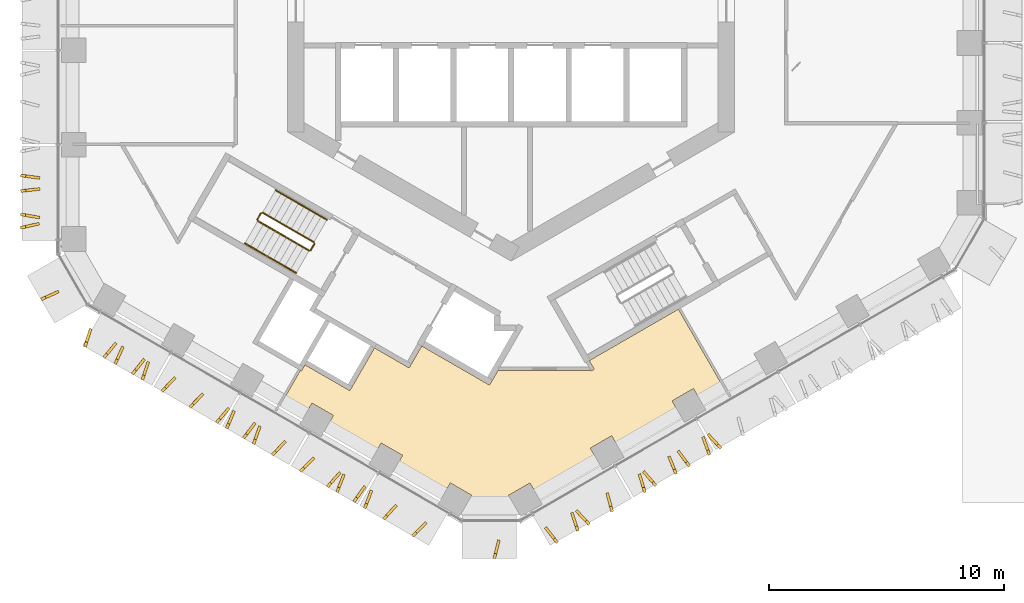
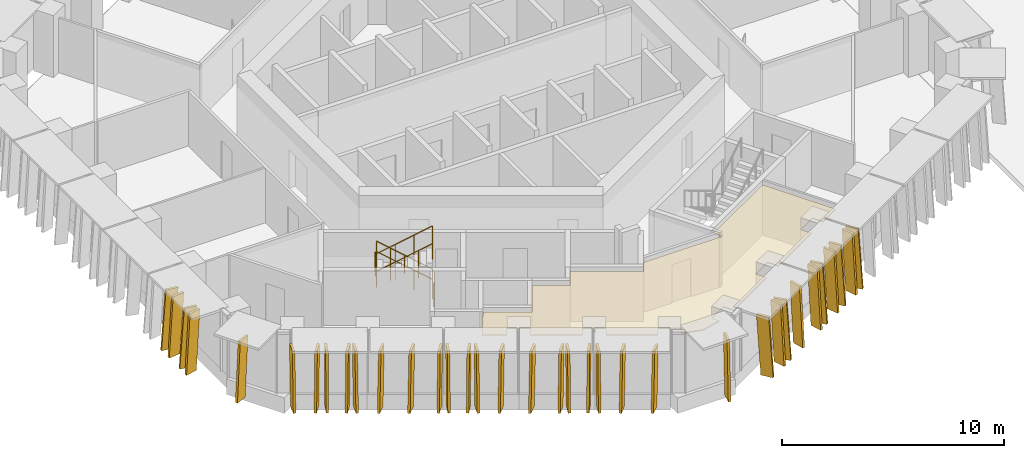
# One storey, part 22 of 25: 35 shading devices, 8 railings, 1 covering.
"""IFC4 building model written with IfcOpenShell, lengths in metres."""

from ifc_helpers import new_model, si_unit, direction, frame, origin, origin_2d, place, context, subcontext, project, spatial, polyline, circle, outline, extrude, material, layer, layer_set, type_object, element, save


model = new_model("IFC4")

# Units and contexts
model_context = context("Model", 3, precision=1e-05, world=origin(), true_north=direction((0.0, 1.0)))
body_context = subcontext(model_context, "Body", "Model", "MODEL_VIEW")
ifc_project = project(units=[si_unit("LENGTHUNIT", "METRE"), si_unit("AREAUNIT", "SQUARE_METRE"), si_unit("VOLUMEUNIT", "CUBIC_METRE"), si_unit("PLANEANGLEUNIT", "RADIAN"), si_unit("MASSUNIT", "GRAM", prefix="KILO")], contexts=[model_context])

# Site, building, storey
site_placement = place(None, origin())
site = spatial("IfcSite", under=ifc_project, at=site_placement, CompositionType="ELEMENT")
building_placement = place(site_placement, origin())
building = spatial("IfcBuilding", under=site, at=building_placement, Name="Ayvan Gate Tower", CompositionType="ELEMENT")
storey_placement = place(building_placement, frame((0.0, 0.0, 132.5)))
storey = spatial("IfcBuildingStorey", under=building, at=storey_placement, Name="L35", CompositionType="ELEMENT", Elevation=132.5)

# Shading devices
ifc_material_1 = material(Name="Bronze anodised aluminium", Category="aluminium")
ifc_layer_1 = layer(ifc_material_1, 0.1201171875)
ifc_layer_set_1 = layer_set([ifc_layer_1], Name="Bronze anodised aluminium")
shading_device_type = type_object("IfcShadingDeviceType", Name="Bronze fin 600 x 120", PredefinedType="USERDEFINED", material=ifc_layer_set_1)
shading_device_1_placement = place(storey_placement, frame((-20.244384765625, -7.34765625, 0.0), z_axis=(0.135494486164, 0.990777999427, 0.000447291668), x_axis=(-0.99077809854, 0.135494499718, 0.0)))
element("IfcShadingDevice", 1, at=shading_device_1_placement, inside=storey, type_object=shading_device_type, Name="Bronze fin FG12.3.48", ObjectType="FIN", PredefinedType="USERDEFINED", context=body_context, shape_type="SweptSolid", body=[
    extrude(outline(polyline([(0.0, 0.0), (0.6000157076051125, 0.0), (0.38371084935709343, 3.280029624992511), (-0.21630485824801896, 3.280029624992511), (0.0, 0.0)])), origin(), (0.0, 0.0, -1.0), 0.1201171875),
])
shading_device_2_placement = place(storey_placement, frame((-20.255615234375, -7.865234375, 0.0), z_axis=(-0.111302456771, 0.993786469596, 0.00046472039), x_axis=(-0.993786576912, -0.111302468746, -9.3975e-08)))
element("IfcShadingDevice", 2, at=shading_device_2_placement, inside=storey, type_object=shading_device_type, Name="Bronze fin FG12.3.49", ObjectType="FIN", PredefinedType="USERDEFINED", context=body_context, shape_type="SweptSolid", body=[
    extrude(outline(polyline([(0.0, 0.0), (0.5999053698211566, -6.776263578034403e-21), (0.38341102155095386, 3.2800296870919383), (-0.21652152172448652, 3.2800295743372154), (0.0, 0.0)])), origin(), (0.0, 0.0, -1.0), 0.1201171875),
])
shading_device_3_placement = place(storey_placement, frame((-20.2490234375, -9.02294921875, 0.0), z_axis=(0.171916390484, 0.985111435177, 0.000463644955), x_axis=(-0.985111541067, 0.17191640892, 9.2928e-08)))
element("IfcShadingDevice", 3, at=shading_device_3_placement, inside=storey, type_object=shading_device_type, Name="Bronze fin FG12.3.50", ObjectType="FIN", PredefinedType="USERDEFINED", context=body_context, shape_type="SweptSolid", body=[
    extrude(outline(polyline([(0.0, 0.0), (0.5999765052461516, -6.776263578034403e-21), (0.38362425721586857, 3.280029613774068), (-0.21639421980980458, 3.280029725287245), (0.0, 0.0)])), origin(), (0.0, 0.0, -1.0), 0.1201171875),
])
shading_device_4_placement = place(storey_placement, frame((-20.284423828125, -9.365234375, 0.0), z_axis=(-0.220741643557, 0.975332202038, 0.000471664387), x_axis=(-0.975332310518, -0.220741668154, 9.3588e-08)))
element("IfcShadingDevice", 4, at=shading_device_4_placement, inside=storey, type_object=shading_device_type, Name="Bronze fin FG12.3.51", ObjectType="FIN", PredefinedType="USERDEFINED", context=body_context, shape_type="SweptSolid", body=[
    extrude(outline(polyline([(0.0, 0.0), (0.6000327817674594, 6.776263578034403e-21), (0.38358321133251466, 3.2800296258258594), (-0.2163956784261182, 3.2800297381327095), (0.0, 0.0)])), origin(), (0.0, 0.0, -1.0), 0.1201171875),
])
shading_device_5_placement = place(storey_placement, frame((-19.4580078125, -12.295654296875, 0.0), z_axis=(-0.413864220178, 0.910338505937, 0.000460286824), x_axis=(-0.910338602371, -0.41386426402, 0.0)))
element("IfcShadingDevice", 5, at=shading_device_5_placement, inside=storey, type_object=shading_device_type, Name="Bronze fin FG12.4.52", ObjectType="FIN", PredefinedType="USERDEFINED", context=body_context, shape_type="SweptSolid", body=[
    extrude(outline(polyline([(0.0, 0.0), (0.5999334497101456, 0.0), (0.38365685580644954, 3.280029644335054), (-0.21627659390369602, 3.280029644335054), (0.0, 0.0)])), origin(), (0.0, 0.0, -1.0), 0.1201171875),
])
shading_device_6_placement = place(storey_placement, frame((-17.99365234375, -14.026611328125, 0.0), z_axis=(-0.952888277356, 0.303321183078, 0.000436775199), x_axis=(-0.303321212046, -0.952888368238, -8.4664e-08)))
element("IfcShadingDevice", 6, at=shading_device_6_placement, inside=storey, type_object=shading_device_type, Name="Bronze fin FG12.5.53", ObjectType="FIN", PredefinedType="USERDEFINED", context=body_context, shape_type="SweptSolid", body=[
    extrude(outline(polyline([(0.0, 0.0), (0.6000835406736558, 0.0), (0.38360420346743057, 3.2800296422223063), (-0.2164052841759406, 3.2800295406177344), (0.0, 0.0)])), origin(), (0.0, 0.0, -1.0), 0.1201171875),
])
shading_device_7_placement = place(storey_placement, frame((-16.9765625, -14.573974609375, 0.0), z_axis=(-0.773794061759, 0.633437094721, 0.000443866048), x_axis=(-0.63343715712, -0.773794137985, 0.0)))
element("IfcShadingDevice", 7, at=shading_device_7_placement, inside=storey, type_object=shading_device_type, Name="Bronze fin FG12.5.54", ObjectType="FIN", PredefinedType="USERDEFINED", context=body_context, shape_type="SweptSolid", body=[
    extrude(outline(polyline([(0.0, 0.0), (0.6001020761921494, 0.0), (0.3837317067986935, 3.2800296199859265), (-0.21637036939345577, 3.2800296199859265), (0.0, 0.0)])), origin(), (0.0, 0.0, -1.0), 0.1201171875),
])
shading_device_8_placement = place(storey_placement, frame((-16.643798828125, -14.772705078125, 0.0), z_axis=(-0.911158732279, 0.412055265982, 0.000471559402), x_axis=(-0.412055311796, -0.911158833586, 0.0)))
element("IfcShadingDevice", 8, at=shading_device_8_placement, inside=storey, type_object=shading_device_type, Name="Bronze fin FG12.5.55", ObjectType="FIN", PredefinedType="USERDEFINED", context=body_context, shape_type="SweptSolid", body=[
    extrude(outline(polyline([(0.0, 0.0), (0.6001972212110931, 0.0), (0.38380186434767566, 3.2800296615622804), (-0.21639535686341746, 3.2800296615622804), (0.0, 0.0)])), origin(), (0.0, 0.0, -1.0), 0.1201171875),
])
shading_device_9_placement = place(storey_placement, frame((-15.7734375, -15.2666015625, 0.0), z_axis=(-0.782434246738, 0.62273302893, 0.000473509593), x_axis=(-0.622733098714, -0.782434334475, 7.5382e-08)))
element("IfcShadingDevice", 9, at=shading_device_9_placement, inside=storey, type_object=shading_device_type, Name="Bronze fin FG12.5.56", ObjectType="FIN", PredefinedType="USERDEFINED", context=body_context, shape_type="SweptSolid", body=[
    extrude(outline(polyline([(0.0, 0.0), (0.5999518716378728, -2.710505431213761e-20), (0.38380542472007656, 3.2800296356527454), (-0.21629848136572447, 3.280029726115906), (0.0, 0.0)])), origin(), (0.0, 0.0, -1.0), 0.1201171875),
])
shading_device_10_placement = place(storey_placement, frame((-15.548095703125, -15.434814453125, 0.0), z_axis=(-0.949534071734, 0.313663568683, 0.000460757624), x_axis=(-0.313663601978, -0.949534172526, 0.0)))
element("IfcShadingDevice", 10, at=shading_device_10_placement, inside=storey, type_object=shading_device_type, Name="Bronze fin FG12.5.57", ObjectType="FIN", PredefinedType="USERDEFINED", context=body_context, shape_type="SweptSolid", body=[
    extrude(outline(polyline([(0.0, 0.0), (0.6001092274902761, 0.0), (0.383632379862494, 3.2800296450462096), (-0.21647684762778208, 3.2800296450462096), (0.0, 0.0)])), origin(), (0.0, 0.0, -1.0), 0.1201171875),
])
shading_device_11_placement = place(storey_placement, frame((-14.47705078125, -16.034423828125, 0.0), z_axis=(-0.719905916367, 0.694071485347, 0.000494780959), x_axis=(-0.694071570279, -0.71990600451, 6.9847e-08)))
element("IfcShadingDevice", 11, at=shading_device_11_placement, inside=storey, type_object=shading_device_type, Name="Bronze fin FG12.5.58", ObjectType="FIN", PredefinedType="USERDEFINED", context=body_context, shape_type="SweptSolid", body=[
    extrude(outline(polyline([(0.0, 0.0), (0.6001757145702546, 0.0), (0.3836855187606901, 3.280029671564759), (-0.21631443750768214, 3.2800297553936444), (0.0, 0.0)])), origin(), (0.0, 0.0, -1.0), 0.1201171875),
])
shading_device_12_placement = place(storey_placement, frame((-13.290283203125, -16.722900390625, 0.0), z_axis=(-0.711567810227, 0.702617271733, 0.00047001153), x_axis=(-0.702617349341, -0.711567888823, 0.0)))
element("IfcShadingDevice", 12, at=shading_device_12_placement, inside=storey, type_object=shading_device_type, Name="Bronze fin FG12.5.60", ObjectType="FIN", PredefinedType="USERDEFINED", context=body_context, shape_type="SweptSolid", body=[
    extrude(outline(polyline([(0.0, 0.0), (0.6000860351231861, 0.0), (0.3837816951719043, 3.280029659172071), (-0.21630433995128184, 3.280029659172071), (0.0, 0.0)])), origin(), (0.0, 0.0, -1.0), 0.1201171875),
])
shading_device_13_placement = place(storey_placement, frame((-12.183837890625, -17.34423828125, 0.0), z_axis=(-0.762150016854, 0.647400254573, 0.000512042348), x_axis=(-0.647400339443, -0.762150116768, 0.0)))
element("IfcShadingDevice", 13, at=shading_device_13_placement, inside=storey, type_object=shading_device_type, Name="Bronze fin FG12.5.62", ObjectType="FIN", PredefinedType="USERDEFINED", context=body_context, shape_type="SweptSolid", body=[
    extrude(outline(polyline([(0.0, 0.0), (0.5999807394433108, 0.0), (0.3836117148122911, 3.2800297268662053), (-0.21636902463101965, 3.2800297268662053), (0.0, 0.0)])), origin(), (0.0, 0.0, -1.0), 0.1201171875),
])
shading_device_14_placement = place(storey_placement, frame((-11.91455078125, -17.50830078125, 0.0), z_axis=(-0.920382093134, 0.391019978559, 0.000423091495), x_axis=(-0.391020013557, -0.920382175511, 0.0)))
element("IfcShadingDevice", 14, at=shading_device_14_placement, inside=storey, type_object=shading_device_type, Name="Bronze fin FG12.5.63", ObjectType="FIN", PredefinedType="USERDEFINED", context=body_context, shape_type="SweptSolid", body=[
    extrude(outline(polyline([(0.0, 0.0), (0.6000182407308525, 0.0), (0.3835069771474037, 3.280029590448179), (-0.21651126358344885, 3.280029590448179), (0.0, 0.0)])), origin(), (0.0, 0.0, -1.0), 0.1201171875),
])
shading_device_15_placement = place(storey_placement, frame((-11.062744140625, -17.9833984375, 0.0), z_axis=(-0.797453913071, 0.603379669941, 0.000480030152), x_axis=(-0.603379739459, -0.79745400495, 0.0)))
element("IfcShadingDevice", 15, at=shading_device_15_placement, inside=storey, type_object=shading_device_type, Name="Bronze fin FG12.5.64", ObjectType="FIN", PredefinedType="USERDEFINED", context=body_context, shape_type="SweptSolid", body=[
    extrude(outline(polyline([(0.0, 0.0), (0.6000542000291014, 2.710505431213761e-20), (0.3836393502274574, 3.2800296747819133), (-0.21641484980164394, 3.2800296747819133), (0.0, 0.0)])), origin(), (0.0, 0.0, -1.0), 0.1201171875),
])
shading_device_16_placement = place(storey_placement, frame((-10.80859375, -18.1640625, 0.0), z_axis=(-0.942531040555, 0.334118300646, 0.000445828918), x_axis=(-0.334118333851, -0.942531134226, 0.0)))
element("IfcShadingDevice", 16, at=shading_device_16_placement, inside=storey, type_object=shading_device_type, Name="Bronze fin FG12.5.65", ObjectType="FIN", PredefinedType="USERDEFINED", context=body_context, shape_type="SweptSolid", body=[
    extrude(outline(polyline([(0.0, 0.0), (0.599905580800343, -1.3552527156068805e-20), (0.38335902250757703, 3.2800296228499755), (-0.2165465582927659, 3.2800296228499755), (0.0, 0.0)])), origin(), (0.0, 0.0, -1.0), 0.1201171875),
])
shading_device_17_placement = place(storey_placement, frame((-9.786376953125, -18.73876953125, 0.0), z_axis=(-0.730215663135, 0.683216549682, 0.000481199951), x_axis=(-0.683216628759, -0.730215747699, 6.688e-08)))
element("IfcShadingDevice", 17, at=shading_device_17_placement, inside=storey, type_object=shading_device_type, Name="Bronze fin FG12.5.66", ObjectType="FIN", PredefinedType="USERDEFINED", context=body_context, shape_type="SweptSolid", body=[
    extrude(outline(polyline([(0.0, 0.0), (0.6000629850599466, 0.0), (0.38368359766283183, 3.2800296509652145), (-0.21620111206808662, 3.280029731217893), (0.0, 0.0)])), origin(), (0.0, 0.0, -1.0), 0.1201171875),
])
shading_device_18_placement = place(storey_placement, frame((-8.581298828125, -19.443359375, 0.0), z_axis=(-0.70771688849, 0.70649598529, 0.000478031842), x_axis=(-0.706496066012, -0.707716969352, 0.0)))
element("IfcShadingDevice", 18, at=shading_device_18_placement, inside=storey, type_object=shading_device_type, Name="Bronze fin FG12.5.68", ObjectType="FIN", PredefinedType="USERDEFINED", context=body_context, shape_type="SweptSolid", body=[
    extrude(outline(polyline([(0.0, 0.0), (0.5999016065187814, -2.710505431213761e-20), (0.38342048113786875, 3.280029671642097), (-0.21648112538091258, 3.280029671642097), (0.0, 0.0)])), origin(), (0.0, 0.0, -1.0), 0.1201171875),
])
shading_device_19_placement = place(storey_placement, frame((-7.457763671875, -20.077392578125, 0.0), z_axis=(-0.747106079951, 0.664704674074, 0.000448960395), x_axis=(-0.664704741087, -0.747106155226, -6.8236e-08)))
element("IfcShadingDevice", 19, at=shading_device_19_placement, inside=storey, type_object=shading_device_type, Name="Bronze fin FG12.5.70", ObjectType="FIN", PredefinedType="USERDEFINED", context=body_context, shape_type="SweptSolid", body=[
    extrude(outline(polyline([(0.0, 0.0), (0.6000523554518924, 2.710505431213761e-20), (0.3836384435646746, 3.2800296536231404), (-0.21625163045628826, 3.280029571744303), (0.0, 0.0)])), origin(), (0.0, 0.0, -1.0), 0.1201171875),
])
shading_device_20_placement = place(storey_placement, frame((-7.24169921875, -20.21337890625, 0.0), z_axis=(-0.930815685318, 0.365488625018, 0.000474286399), x_axis=(-0.365488666126, -0.930815790011, 0.0)))
element("IfcShadingDevice", 20, at=shading_device_20_placement, inside=storey, type_object=shading_device_type, Name="Bronze fin FG12.5.71", ObjectType="FIN", PredefinedType="USERDEFINED", context=body_context, shape_type="SweptSolid", body=[
    extrude(outline(polyline([(0.0, 0.0), (0.5998497397304339, 1.3552527156068805e-20), (0.38337692356820957, 3.2800296657924015), (-0.21647281616222427, 3.2800296657924015), (0.0, 0.0)])), origin(), (0.0, 0.0, -1.0), 0.1201171875),
])
shading_device_21_placement = place(storey_placement, frame((-6.386962890625, -20.6806640625, 0.0), z_axis=(-0.814173017022, 0.580622136577, 0.000482566043), x_axis=(-0.580622204182, -0.81417311182, 0.0)))
element("IfcShadingDevice", 21, at=shading_device_21_placement, inside=storey, type_object=shading_device_type, Name="Bronze fin FG12.5.72", ObjectType="FIN", PredefinedType="USERDEFINED", context=body_context, shape_type="SweptSolid", body=[
    extrude(outline(polyline([(0.0, 0.0), (0.6000264360643915, 2.710505431213761e-20), (0.3835958109517269, 3.280029678785255), (-0.21643062511266464, 3.280029678785255), (0.0, 0.0)])), origin(), (0.0, 0.0, -1.0), 0.1201171875),
])
shading_device_22_placement = place(storey_placement, frame((-6.06640625, -20.89453125, 0.0), z_axis=(-0.934171444813, 0.356824197343, 0.000451538387), x_axis=(-0.356824233719, -0.934171540045, 0.0)))
element("IfcShadingDevice", 22, at=shading_device_22_placement, inside=storey, type_object=shading_device_type, Name="Bronze fin FG12.5.73", ObjectType="FIN", PredefinedType="USERDEFINED", context=body_context, shape_type="SweptSolid", body=[
    extrude(outline(polyline([(0.0, 0.0), (0.6000470480751631, 0.0), (0.3836107455031306, 3.2800296312525776), (-0.21643630257203242, 3.2800296312525776), (0.0, 0.0)])), origin(), (0.0, 0.0, -1.0), 0.1201171875),
])
shading_device_23_placement = place(storey_placement, frame((-5.06689453125, -21.4599609375, 0.0), z_axis=(-0.741043821, 0.671456509967, 0.000458890331), x_axis=(-0.671456580665, -0.741043899025, 0.0)))
element("IfcShadingDevice", 23, at=shading_device_23_placement, inside=storey, type_object=shading_device_type, Name="Bronze fin FG12.5.74", ObjectType="FIN", PredefinedType="USERDEFINED", context=body_context, shape_type="SweptSolid", body=[
    extrude(outline(polyline([(0.0, 0.0), (0.5999375728078982, -2.710505431213761e-20), (0.38343962005836185, 3.280029642229889), (-0.21649795274953626, 3.280029642229889), (0.0, 0.0)])), origin(), (0.0, 0.0, -1.0), 0.1201171875),
])
shading_device_24_placement = place(storey_placement, frame((-3.804931640625, -22.201171875, 0.0), z_axis=(-0.707106718506, 0.707106718506, 0.000421053498), x_axis=(-0.707106781187, -0.707106781187, 0.0)))
element("IfcShadingDevice", 24, at=shading_device_24_placement, inside=storey, type_object=shading_device_type, Name="Bronze fin FG12.5.76", ObjectType="FIN", PredefinedType="USERDEFINED", context=body_context, shape_type="SweptSolid", body=[
    extrude(outline(polyline([(0.0, 0.0), (0.600074016456162, 0.0), (0.383591618114382, 3.280029587626755), (-0.21648239834177996, 3.280029587626755), (0.0, 0.0)])), origin(), (0.0, 0.0, -1.0), 0.1201171875),
])
shading_device_25_placement = place(storey_placement, frame((-0.6298828125, -23.020263671875, 0.0), z_axis=(-0.970547956538, 0.240907501162, 0.000489840487), x_axis=(-0.240907530064, -0.970548072977, 0.0)))
element("IfcShadingDevice", 25, at=shading_device_25_placement, inside=storey, type_object=shading_device_type, Name="Bronze fin FG12.6.78", ObjectType="FIN", PredefinedType="USERDEFINED", context=body_context, shape_type="SweptSolid", body=[
    extrude(outline(polyline([(0.0, 0.0), (0.5999449247673146, 0.0), (0.3834653223989258, 3.280029690386258), (-0.21647960236838892, 3.280029690386258), (0.0, 0.0)])), origin(), (0.0, 0.0, -1.0), 0.1201171875),
])
shading_device_26_placement = place(storey_placement, frame((1.546630859375, -22.50146484375, 0.0), z_axis=(-0.791275971034, -0.611459015148, 0.000458757665), x_axis=(0.611459079492, -0.791276054299, 0.0)))
element("IfcShadingDevice", 26, at=shading_device_26_placement, inside=storey, type_object=shading_device_type, Name="Bronze fin FG12.7.79", ObjectType="FIN", PredefinedType="USERDEFINED", context=body_context, shape_type="SweptSolid", body=[
    extrude(outline(polyline([(0.0, 0.0), (0.6001110649628388, 0.0), (0.38375287551754766, 3.2800296420302337), (-0.21635818944529117, 3.2800296420302337), (0.0, 0.0)])), origin(), (0.0, 0.0, -1.0), 0.1201171875),
])
shading_device_27_placement = place(storey_placement, frame((2.58935546875, -21.890380859375, 0.0), z_axis=(-0.945670873005, -0.325125226993, 0.00043211454), x_axis=(0.325125257347, -0.945670961294, 0.0)))
element("IfcShadingDevice", 27, at=shading_device_27_placement, inside=storey, type_object=shading_device_type, Name="Bronze fin FG12.7.80", ObjectType="FIN", PredefinedType="USERDEFINED", context=body_context, shape_type="SweptSolid", body=[
    extrude(outline(polyline([(0.0, 0.0), (0.599979100260721, 1.3552527156068805e-20), (0.3833483077124783, 3.280029603103458), (-0.21663079254824272, 3.280029603103458), (0.0, 0.0)])), origin(), (0.0, 0.0, -1.0), 0.1201171875),
])
shading_device_28_placement = place(storey_placement, frame((2.8701171875, -21.7705078125, 0.0), z_axis=(-0.725182221053, -0.688556856353, 0.000449263871), x_axis=(0.688556925842, -0.725182294237, 0.0)))
element("IfcShadingDevice", 28, at=shading_device_28_placement, inside=storey, type_object=shading_device_type, Name="Bronze fin FG12.7.81", ObjectType="FIN", PredefinedType="USERDEFINED", context=body_context, shape_type="SweptSolid", body=[
    extrude(outline(polyline([(0.0, 0.0), (0.5999299723767613, 0.0), (0.3835094544491068, 3.2800296278923686), (-0.2164205179276544, 3.2800296278923686), (0.0, 0.0)])), origin(), (0.0, 0.0, -1.0), 0.1201171875),
])
shading_device_29_placement = place(storey_placement, frame((4.077880859375, -21.047119140625, 0.0), z_axis=(-0.965282936214, -0.261206172834, 0.000433967222), x_axis=(0.261206197421, -0.965283027111, -2.3055e-08)))
element("IfcShadingDevice", 29, at=shading_device_29_placement, inside=storey, type_object=shading_device_type, Name="Bronze fin FG12.7.82", ObjectType="FIN", PredefinedType="USERDEFINED", context=body_context, shape_type="SweptSolid", body=[
    extrude(outline(polyline([(0.0, 0.0), (0.6001735844919521, 0.0), (0.3835608531373525, 3.280029614578152), (-0.2163770665530588, 3.2800295869090426), (0.0, 0.0)])), origin(), (0.0, 0.0, -1.0), 0.1201171875),
])
shading_device_30_placement = place(storey_placement, frame((5.455810546875, -20.24462890625, 0.0), z_axis=(-0.958289614153, -0.285798537016, 0.000460050225), x_axis=(0.285798567209, -0.958289715577, -1.16407e-07)))
element("IfcShadingDevice", 30, at=shading_device_30_placement, inside=storey, type_object=shading_device_type, Name="Bronze fin FG12.7.84", ObjectType="FIN", PredefinedType="USERDEFINED", context=body_context, shape_type="SweptSolid", body=[
    extrude(outline(polyline([(0.0, 0.0), (0.600185831074437, 1.3552527156068805e-20), (0.38361926669299495, 3.2800296886341007), (-0.21640238197217251, 3.280029548921012), (0.0, 0.0)])), origin(), (0.0, 0.0, -1.0), 0.1201171875),
])
shading_device_31_placement = place(storey_placement, frame((5.71826171875, -20.109375, 0.0), z_axis=(-0.756232498, -0.654302855412, 0.000427045562), x_axis=(0.654302915056, -0.756232566972, -5.6839e-08)))
element("IfcShadingDevice", 31, at=shading_device_31_placement, inside=storey, type_object=shading_device_type, Name="Bronze fin FG12.7.85", ObjectType="FIN", PredefinedType="USERDEFINED", context=body_context, shape_type="SweptSolid", body=[
    extrude(outline(polyline([(0.0, 0.0), (0.6000867747585912, 2.710505431213761e-20), (0.38345195410064076, 3.2800296177562522), (-0.21645019356640446, 3.2800295495496674), (0.0, 0.0)])), origin(), (0.0, 0.0, -1.0), 0.1201171875),
])
shading_device_32_placement = place(storey_placement, frame((6.732177734375, -19.489013671875, 0.0), z_axis=(-0.924294110976, -0.381680773099, 0.000428791674), x_axis=(0.381680808201, -0.924294195942, 3.3304e-08)))
element("IfcShadingDevice", 32, at=shading_device_32_placement, inside=storey, type_object=shading_device_type, Name="Bronze fin FG12.7.86", ObjectType="FIN", PredefinedType="USERDEFINED", context=body_context, shape_type="SweptSolid", body=[
    extrude(outline(polyline([(0.0, 0.0), (0.5998751750672717, 0.0), (0.3835800587195576, 3.280029585637175), (-0.21652077411039508, 3.280029625601124), (0.0, 0.0)])), origin(), (0.0, 0.0, -1.0), 0.1201171875),
])
shading_device_33_placement = place(storey_placement, frame((7.17626953125, -19.24658203125, 0.0), z_axis=(-0.803138772245, -0.595791822937, 0.000465014621), x_axis=(0.595791887333, -0.803138859095, -5.6366e-08)))
element("IfcShadingDevice", 33, at=shading_device_33_placement, inside=storey, type_object=shading_device_type, Name="Bronze fin FG12.7.87", ObjectType="FIN", PredefinedType="USERDEFINED", context=body_context, shape_type="SweptSolid", body=[
    extrude(outline(polyline([(0.0, 0.0), (0.6000086501242059, 0.0), (0.3835420150025901, 3.2800296731280856), (-0.21627055629859454, 3.280029605499504), (0.0, 0.0)])), origin(), (0.0, 0.0, -1.0), 0.1201171875),
])
shading_device_34_placement = place(storey_placement, frame((8.16943359375, -18.665283203125, 0.0), z_axis=(-0.939769550818, -0.341808366611, 0.000481528374), x_axis=(0.341808406223, -0.939769659776, -3.3481e-08)))
element("IfcShadingDevice", 34, at=shading_device_34_placement, inside=storey, type_object=shading_device_type, Name="Bronze fin FG12.7.88", ObjectType="FIN", PredefinedType="USERDEFINED", context=body_context, shape_type="SweptSolid", body=[
    extrude(outline(polyline([(0.0, 0.0), (0.6000944763939514, 1.3552527156068805e-20), (0.38350146320191886, 3.280029689984481), (-0.21636357723993893, 3.2800296498089483), (0.0, 0.0)])), origin(), (0.0, 0.0, -1.0), 0.1201171875),
])
shading_device_35_placement = place(storey_placement, frame((8.4697265625, -18.53271484375, 0.0), z_axis=(-0.733843233961, -0.679318702023, 0.000457220557), x_axis=(0.679318773027, -0.733843310668, -5.073e-09)))
element("IfcShadingDevice", 35, at=shading_device_35_placement, inside=storey, type_object=shading_device_type, Name="Bronze fin FG12.7.89", ObjectType="FIN", PredefinedType="USERDEFINED", context=body_context, shape_type="SweptSolid", body=[
    extrude(outline(polyline([(0.0, 0.0), (0.599829717118554, 2.710505431213761e-20), (0.38364639171923, 3.2800296416675563), (-0.21652833567366386, 3.280029635579444), (0.0, 0.0)])), origin(), (0.0, 0.0, -1.0), 0.1201171875),
])

# Covering
ifc_material_2 = material(Name="Plasterboard suspended ceiling")
ifc_layer_2 = layer(ifc_material_2, 0.050048828125)
ifc_layer_set_2 = layer_set([ifc_layer_2], Name="Plasterboard suspended ceiling")
covering_type = type_object("IfcCoveringType", Name="CT-SUSP-50", PredefinedType="CEILING", material=ifc_layer_set_2)
covering_placement = place(storey_placement, frame((0.0, 0.0, 2.699951171875)))
element("IfcCovering", 36, at=covering_placement, inside=storey, type_object=covering_type, Name="Ceiling Social Lounge L35", PredefinedType="CEILING", context=body_context, shape_type="SweptSolid", body=[
    extrude(outline(polyline([(-8.763427734375, -15.378662109375), (-6.858154296875, -16.478515625), (-6.76806640625, -16.32275390625), (-5.80810546875, -14.659912109375), (-4.3359375, -15.510009765625), (-4.245849609375, -15.35400390625), (-4.235595703125, -15.33642578125), (-3.798583984375, -14.5791015625), (-3.775390625, -14.59228515625), (-0.9189453125, -16.24169921875), (-0.803955078125, -16.042236328125), (-0.555908203125, -15.613037109375), (3.353271484375, -15.613037109375), (3.353271484375, -15.55810546875), (3.40087890625, -15.640380859375), (3.53076171875, -15.5654296875), (3.320556640625, -15.201416015625), (3.346435546875, -15.186279296875), (7.109375, -13.013916015625), (9.008544921875, -16.30322265625), (8.028564453125, -16.868896484375), (7.751220703125, -16.388671875), (6.841796875, -16.913818359375), (7.119140625, -17.39404296875), (5.15478515625, -18.5283203125), (4.552978515625, -18.87548828125), (4.275634765625, -18.395263671875), (3.366455078125, -18.92041015625), (3.643798828125, -19.400634765625), (1.077392578125, -20.882080078125), (0.80029296875, -20.40185546875), (-0.109130859375, -20.9267578125), (0.095703125, -21.281494140625), (-0.8623046875, -21.5380859375), (-1.87158203125, -21.267578125), (-1.6748046875, -20.9267578125), (-2.583984375, -20.40185546875), (-2.8466796875, -20.8564453125), (-3.50732421875, -20.47509765625), (-4.877685546875, -19.683837890625), (-4.614990234375, -19.229248046875), (-5.5244140625, -18.7041015625), (-5.786865234375, -19.158935546875), (-7.818115234375, -17.986328125), (-7.555419921875, -17.531494140625), (-8.46484375, -17.006591796875), (-8.727294921875, -17.461181640625), (-9.699462890625, -16.89990234375), (-8.956787109375, -15.613525390625), (-8.913330078125, -15.638427734375), (-8.8134765625, -15.46533203125), (-8.763427734375, -15.378662109375)])), origin(), (0.0, 0.0, 1.0), 0.050048828125),
])

# Railings
ifc_material_3 = material(Name="Stainless steel balustrade", Category="steel")
railing_type_1 = type_object("IfcRailingType", Name="RL-GUARD-1100", PredefinedType="GUARDRAIL", material=ifc_material_3)
railing_1_placement = place(storey_placement, frame((-8.381103515625, -10.16650390625, 0.169921875)))
element("IfcRailing", 37, at=railing_1_placement, inside=storey, type_object=railing_type_1, Name="L35 STS2 stair guard 1", PredefinedType="GUARDRAIL", context=body_context, shape_type="SweptSolid", body=[
    extrude(circle(Radius=0.02392578125, at=origin_2d()), frame((0.0, 0.0, 1.076171875), z_axis=(-0.740261155115, 0.427395438142, 0.518986090067), x_axis=(-0.500004791531, -0.866022637375, 0.0)), (0.0, 0.0, 1.0), 2.947998046875),
    extrude(circle(Radius=0.02099609375, at=origin_2d()), origin(), (0.0, 0.0, 1.0), 1.052001953125),
    extrude(circle(Radius=0.02099609375, at=origin_2d()), frame((-0.7275390625, 0.419921875, 0.510009765625)), (0.0, 0.0, 1.0), 1.052001953125),
    extrude(circle(Radius=0.02099609375, at=origin_2d()), frame((-1.454833984375, 0.840087890625, 1.02001953125)), (0.0, 0.0, 1.0), 1.052001953125),
    extrude(circle(Radius=0.02099609375, at=origin_2d()), frame((-2.182373046875, 1.260009765625, 1.530029296875)), (0.0, 0.0, 1.0), 1.052001953125),
])
railing_2_placement = place(storey_placement, frame((-10.6318359375, -8.9248046875, 1.699951171875)))
element("IfcRailing", 38, at=railing_2_placement, inside=storey, type_object=railing_type_1, Name="L35 STS2 stair guard 2", PredefinedType="GUARDRAIL", context=body_context, shape_type="SweptSolid", body=[
    extrude(circle(Radius=0.02392578125, at=origin_2d()), frame((0.0, 0.0, 1.076171875), z_axis=(-0.499949632511, -0.866054481515, 0.0), x_axis=(0.866054481515, -0.499949632511, 0.0)), (0.0, 0.0, 1.0), 0.31005859375),
    extrude(circle(Radius=0.02099609375, at=origin_2d()), origin(), (0.0, 0.0, 1.0), 1.052001953125),
    extrude(circle(Radius=0.02099609375, at=origin_2d()), frame((-0.155029296875, -0.2685546875, 0.0)), (0.0, 0.0, 1.0), 1.052001953125),
])
railing_3_placement = place(storey_placement, frame((-10.7685546875, -9.261474609375, 1.8701171875)))
element("IfcRailing", 39, at=railing_3_placement, inside=storey, type_object=railing_type_1, Name="L35 STS2 stair guard 3", PredefinedType="GUARDRAIL", context=body_context, shape_type="SweptSolid", body=[
    extrude(circle(Radius=0.02392578125, at=origin_2d()), frame((0.0, 0.0, 1.076171875), z_axis=(0.740292969978, -0.427413806696, 0.51892557891), x_axis=(0.500004791531, 0.866022637375, 0.0)), (0.0, 0.0, 1.0), 2.947998046875),
    extrude(circle(Radius=0.02099609375, at=origin_2d()), origin(), (0.0, 0.0, 1.0), 1.052001953125),
    extrude(circle(Radius=0.02099609375, at=origin_2d()), frame((0.7275390625, -0.419921875, 0.510009765625)), (0.0, 0.0, 1.0), 1.052001953125),
    extrude(circle(Radius=0.02099609375, at=origin_2d()), frame((1.454833984375, -0.840087890625, 1.019775390625)), (0.0, 0.0, 1.0), 1.052001953125),
    extrude(circle(Radius=0.02099609375, at=origin_2d()), frame((2.182373046875, -1.260009765625, 1.52978515625)), (0.0, 0.0, 1.0), 1.052001953125),
])
railing_4_placement = place(storey_placement, frame((-8.36279296875, -10.23486328125, 0.0)))
element("IfcRailing", 40, at=railing_4_placement, inside=storey, type_object=railing_type_1, Name="L35 STS2 stair guard 4", PredefinedType="GUARDRAIL", context=body_context, shape_type="SweptSolid", body=[
    extrude(circle(Radius=0.02392578125, at=origin_2d()), frame((0.0, 0.0, 1.076171875), z_axis=(-0.500290723946, -0.86585748916, 0.0), x_axis=(0.86585748916, -0.500290723946, 0.0)), (0.0, 0.0, 1.0), 0.309814453125),
    extrude(circle(Radius=0.02099609375, at=origin_2d()), origin(), (0.0, 0.0, 1.0), 1.052001953125),
    extrude(circle(Radius=0.02099609375, at=origin_2d()), frame((-0.155029296875, -0.268310546875, 0.0)), (0.0, 0.0, 1.0), 1.052001953125),
])
railing_type_2 = type_object("IfcRailingType", Name="RL-HANDRAIL-900", PredefinedType="HANDRAIL", material=ifc_material_3)
railing_5_placement = place(storey_placement, frame((-7.8310546875, -9.2138671875, 0.169921875)))
element("IfcRailing", 41, at=railing_5_placement, inside=storey, type_object=railing_type_2, Name="L35 STS2 stair handrail 1", PredefinedType="HANDRAIL", context=body_context, shape_type="SweptSolid", body=[
    extrude(circle(Radius=0.02392578125, at=origin_2d()), frame((0.0, 0.0, 0.8759765625), z_axis=(-0.740292964666, 0.42728318766, 0.519033143459), x_axis=(-0.499890179513, -0.866088799389, 0.0)), (0.0, 0.0, 1.0), 1.47412109375),
    extrude(circle(Radius=0.02099609375, at=origin_2d()), origin(), (0.0, 0.0, 1.0), 0.851806640625),
    extrude(circle(Radius=0.02099609375, at=origin_2d()), frame((-0.545654296875, 0.31494140625, 0.382568359375)), (0.0, 0.0, 1.0), 0.851806640625),
    extrude(circle(Radius=0.02099609375, at=origin_2d()), frame((-1.09130859375, 0.6298828125, 0.76513671875)), (0.0, 0.0, 1.0), 0.851806640625),
])
railing_6_placement = place(storey_placement, frame((-8.92236328125, -8.583984375, 0.93505859375)))
element("IfcRailing", 42, at=railing_6_placement, inside=storey, type_object=railing_type_2, Name="L35 STS2 stair handrail 2", PredefinedType="HANDRAIL", context=body_context, shape_type="SweptSolid", body=[
    extrude(circle(Radius=0.02392578125, at=origin_2d()), frame((0.0, 0.0, 0.8759765625), z_axis=(-0.740229329464, 0.427507697325, 0.518939021976), x_axis=(-0.50011940292, -0.865956455501, 0.0)), (0.0, 0.0, 1.0), 1.473876953125),
    extrude(circle(Radius=0.02099609375, at=origin_2d()), origin(), (0.0, 0.0, 1.0), 0.851806640625),
    extrude(circle(Radius=0.02099609375, at=origin_2d()), frame((-0.54541015625, 0.31494140625, 0.38232421875)), (0.0, 0.0, 1.0), 0.851806640625),
    extrude(circle(Radius=0.02099609375, at=origin_2d()), frame((-1.091064453125, 0.630126953125, 0.764892578125)), (0.0, 0.0, 1.0), 0.851806640625),
])
railing_7_placement = place(storey_placement, frame((-11.318603515625, -10.214111328125, 1.8701171875)))
element("IfcRailing", 43, at=railing_7_placement, inside=storey, type_object=railing_type_2, Name="L35 STS2 stair handrail 3", PredefinedType="HANDRAIL", context=body_context, shape_type="SweptSolid", body=[
    extrude(circle(Radius=0.02392578125, at=origin_2d()), frame((0.0, 0.0, 0.8759765625), z_axis=(0.740304193401, -0.427455284825, 0.518875399983), x_axis=(0.500035496587, 0.86600490885, 0.0)), (0.0, 0.0, 1.0), 1.47412109375),
    extrude(circle(Radius=0.02099609375, at=origin_2d()), origin(), (0.0, 0.0, 1.0), 0.851806640625),
    extrude(circle(Radius=0.02099609375, at=origin_2d()), frame((0.545654296875, -0.31494140625, 0.38232421875)), (0.0, 0.0, 1.0), 0.851806640625),
    extrude(circle(Radius=0.02099609375, at=origin_2d()), frame((1.09130859375, -0.630126953125, 0.764892578125)), (0.0, 0.0, 1.0), 0.851806640625),
])
railing_8_placement = place(storey_placement, frame((-10.227294921875, -10.84423828125, 2.635009765625)))
element("IfcRailing", 44, at=railing_8_placement, inside=storey, type_object=railing_type_2, Name="L35 STS2 stair handrail 4", PredefinedType="HANDRAIL", context=body_context, shape_type="SweptSolid", body=[
    extrude(circle(Radius=0.02392578125, at=origin_2d()), frame((0.0, 0.0, 0.8759765625), z_axis=(0.740356597536, -0.427319915356, 0.518912129772), x_axis=(0.499890179513, 0.866088799389, 0.0)), (0.0, 0.0, 1.0), 1.47412109375),
    extrude(circle(Radius=0.02099609375, at=origin_2d()), origin(), (0.0, 0.0, 1.0), 0.851806640625),
    extrude(circle(Radius=0.02099609375, at=origin_2d()), frame((0.545654296875, -0.31494140625, 0.38232421875)), (0.0, 0.0, 1.0), 0.851806640625),
    extrude(circle(Radius=0.02099609375, at=origin_2d()), frame((1.09130859375, -0.6298828125, 0.764892578125)), (0.0, 0.0, 1.0), 0.851806640625),
])

save(model, "model.ifc")
